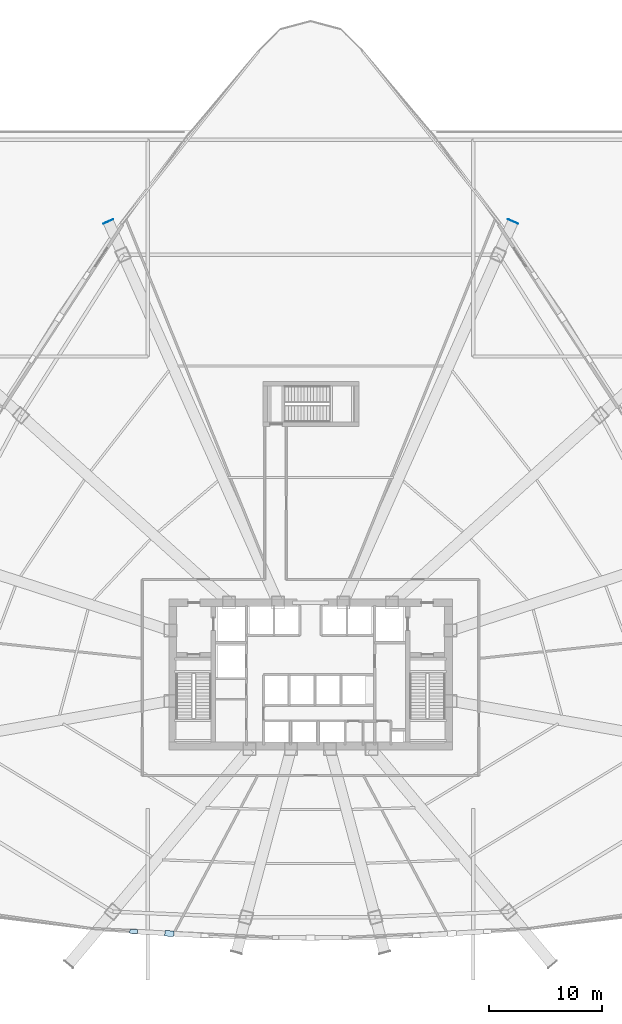
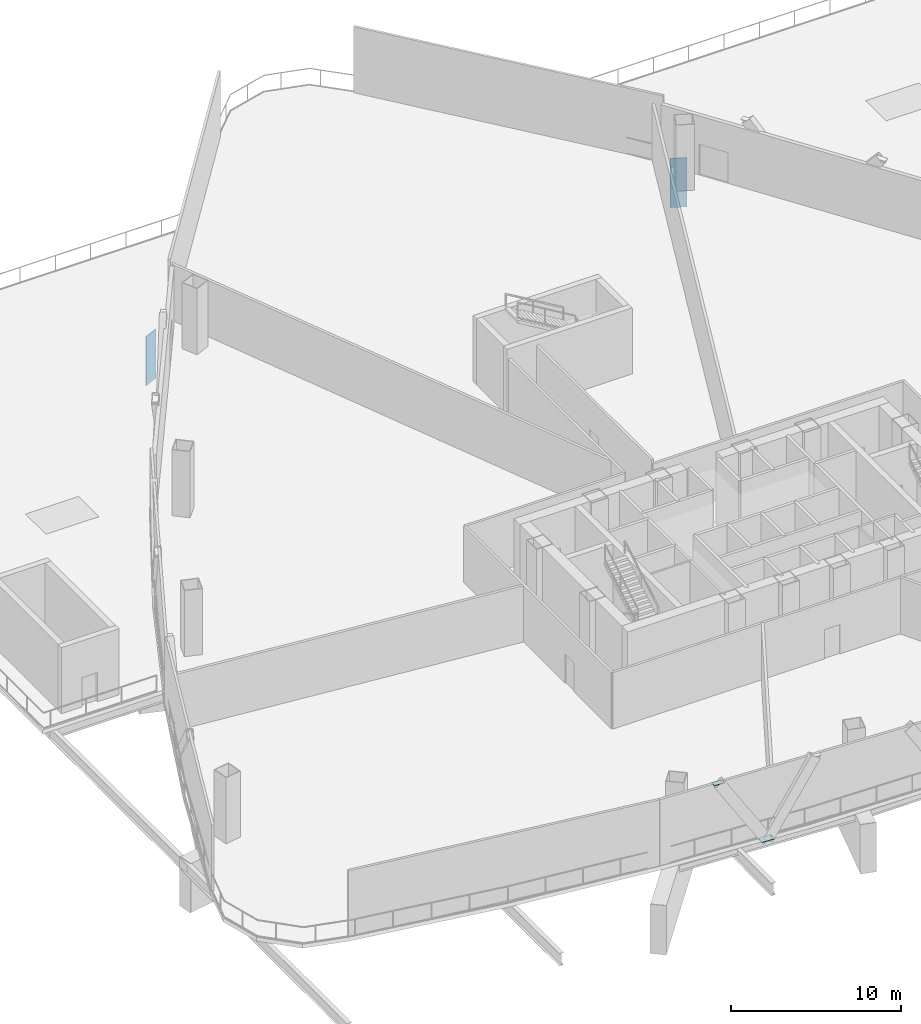
# One storey, part 8 of 18: 4 plates.
"""IFC4 building model written with IfcOpenShell, lengths in metres."""

from ifc_helpers import new_model, si_unit, direction, frame, origin, origin_2d, place, context, subcontext, project, spatial, rectangle, extrude, source, transform, mapped, material, layer, layer_set, type_object, element, save


model = new_model("IFC4")

# Units and contexts
model_context = context("Model", 3, precision=1e-05, world=origin(), true_north=direction((0.0, 1.0)))
body_context = subcontext(model_context, "Body", "Model", "MODEL_VIEW")
ifc_project = project(units=[si_unit("LENGTHUNIT", "METRE"), si_unit("AREAUNIT", "SQUARE_METRE"), si_unit("VOLUMEUNIT", "CUBIC_METRE"), si_unit("PLANEANGLEUNIT", "RADIAN"), si_unit("MASSUNIT", "GRAM", prefix="KILO"), si_unit("THERMODYNAMICTEMPERATUREUNIT", "KELVIN"), si_unit("POWERUNIT", "WATT")], contexts=[model_context])

# Site, building, storey
site_placement = place(None, origin())
site = spatial("IfcSite", under=ifc_project, at=site_placement, CompositionType="ELEMENT")
building_placement = place(site_placement, origin())
building = spatial("IfcBuilding", under=site, at=building_placement, Name="Yunzhuo Pagoda Commons", CompositionType="ELEMENT")
storey_placement = place(building_placement, frame((0.0, 0.0, 25.39990234375)))
storey = spatial("IfcBuildingStorey", under=building, at=storey_placement, Name="L06", CompositionType="ELEMENT", Elevation=25.39990234375)

# Plates
ifc_material_1 = material(Name="Structural steel Q420B", Category="steel")
ifc_layer_1 = layer(ifc_material_1, 0.0400390625)
ifc_layer_set_1 = layer_set([ifc_layer_1], Name="Structural steel Q420B")
plate_type_1 = type_object("IfcPlateType", Name="EP-TR2 Transfer Girder End Cap Plate 980x3540x40", PredefinedType="USERDEFINED", material=ifc_layer_set_1)
shared_shape_1 = source(origin(), body_context, "Body", "SweptSolid", [
    extrude(rectangle(XDim=0.97998046875, YDim=0.0400390625, at=origin_2d()), origin(), (0.0, 0.0, 1.0), 3.5400390625),
])
for number, where, z_axis, x_axis, name in (
    (1, (65.919677734375, 73.9482421875, -3.7998046875), (0.0, 0.0, 1.0), (-0.913545457643, 0.406736643076, 0.0), "L06 transfer girder end cap plate F2C4"),
    (2, (30.080322265625, 73.9482421875, -3.7998046875), (0.0, 0.0, 1.0), (-0.913545457643, -0.406736643076, 0.0), "L06 transfer girder end cap plate F3C1"),
):
    element("IfcPlate", number, at=place(storey_placement, frame(where, z_axis=z_axis, x_axis=x_axis)), inside=storey, type_object=plate_type_1, Name=name, ObjectType="END_PLATE", PredefinedType="USERDEFINED", context=body_context, shape_type="MappedRepresentation", body=[
        mapped(shared_shape_1, transform((0.0, 0.0, 0.0), scale=1.0)),
    ])
ifc_material_2 = material(Name="Structural steel Q355B", Category="steel")
ifc_layer_2 = layer(ifc_material_2, 0.028076171875)
ifc_layer_set_2 = layer_set([ifc_layer_2], Name="Structural steel Q355B")
plate_type_2 = type_object("IfcPlateType", Name="SP-ND1 Lattice Node Cap Plate 800x500x28", PredefinedType="USERDEFINED", material=ifc_layer_set_2)
shared_shape_2 = source(origin(), body_context, "Body", "SweptSolid", [
    extrude(rectangle(XDim=0.800048828125, YDim=0.5, at=origin_2d()), origin(), (0.0, 0.0, 1.0), 0.028076171875),
])
plate_1_placement = place(storey_placement, frame((35.49169921875, 10.913818359375, -0.2939453125), z_axis=(0.0, 0.0, 1.0), x_axis=(0.998322672768, -0.057895086472, 0.0)))
element("IfcPlate", 3, at=plate_1_placement, inside=storey, type_object=plate_type_2, Name="L06 diamond node plate F1.1A", ObjectType="STIFFENER_PLATE", PredefinedType="USERDEFINED", context=body_context, shape_type="MappedRepresentation", body=[
    mapped(shared_shape_2, transform((0.0, 0.0, 0.0), scale=1.0)),
])
shared_shape_3 = source(origin(), body_context, "Body", "SweptSolid", [
    extrude(rectangle(XDim=0.699951171875, YDim=0.35009765625, at=origin_2d()), origin(), (0.0, 0.0, 1.0), 0.035888671875),
])
plate_2_placement = place(storey_placement, frame((32.33935546875, 11.0966796875, 4.7021484375), z_axis=(0.0, 0.0, 1.0), x_axis=(0.998322672768, -0.057895086472, 0.0)))
element("IfcPlate", 4, at=plate_2_placement, inside=storey, type_object=plate_type_2, Name="L06 setback lattice tie plate F1.1L", ObjectType="STIFFENER_PLATE", PredefinedType="USERDEFINED", context=body_context, shape_type="MappedRepresentation", body=[
    mapped(shared_shape_3, transform((0.0, 0.0, 0.0), scale=1.0)),
])

save(model, "model.ifc")
